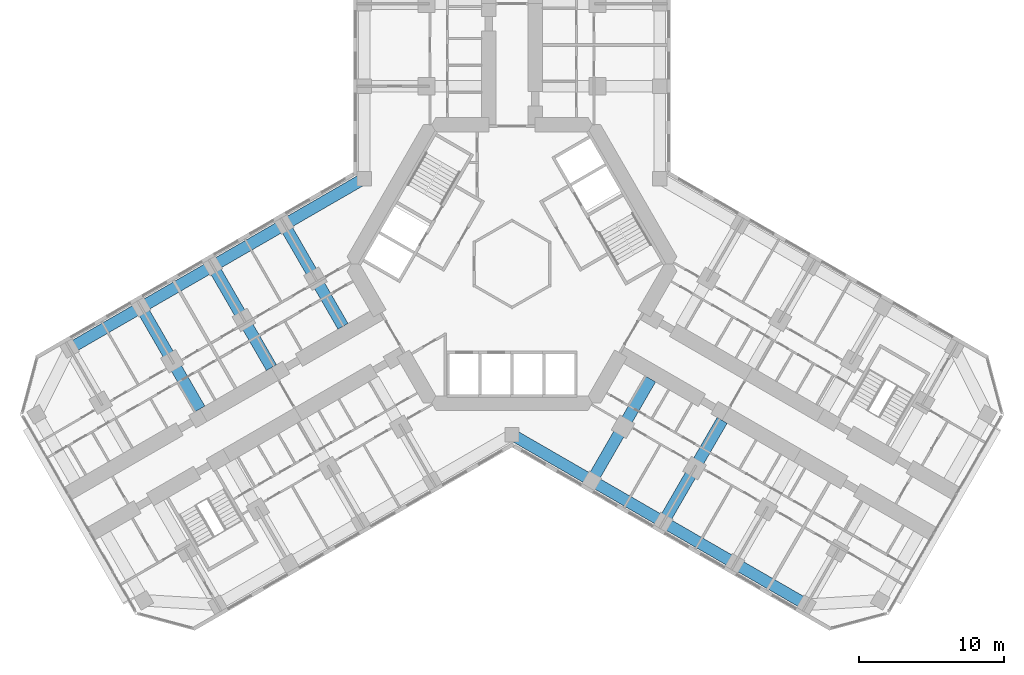
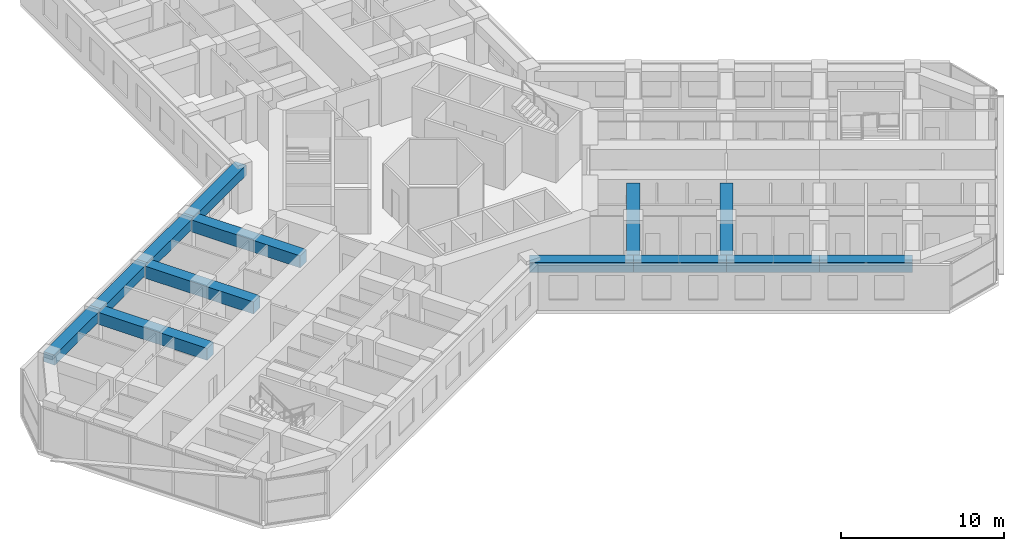
# One storey, part 4 of 21: 13 beams.
"""IFC4 building model written with IfcOpenShell, lengths in metres."""

from ifc_helpers import new_model, si_unit, direction, frame, origin, origin_2d, place, context, subcontext, project, spatial, rectangle, extrude, material, material_profile, profile_set, type_object, element, save


model = new_model("IFC4")

# Units and contexts
model_context = context("Model", 3, precision=1e-05, world=origin(), true_north=direction((0.0, 1.0)))
body_context = subcontext(model_context, "Body", "Model", "MODEL_VIEW")
ifc_project = project(units=[si_unit("LENGTHUNIT", "METRE"), si_unit("AREAUNIT", "SQUARE_METRE"), si_unit("VOLUMEUNIT", "CUBIC_METRE"), si_unit("PLANEANGLEUNIT", "RADIAN"), si_unit("MASSUNIT", "GRAM", prefix="KILO")], contexts=[model_context])

# Site, building, storey
site_placement = place(None, origin())
site = spatial("IfcSite", under=ifc_project, at=site_placement, CompositionType="ELEMENT")
building_placement = place(site_placement, origin())
building = spatial("IfcBuilding", under=site, at=building_placement, Name="Kosmar Iwan School Tower", CompositionType="ELEMENT")
storey_placement = place(building_placement, frame((0.0, 0.0, 61.0)))
storey = spatial("IfcBuildingStorey", under=building, at=storey_placement, Name="L14", CompositionType="ELEMENT", Elevation=61.0)

# Beams
ifc_material_1 = material(Name="Concrete C50/60", Category="concrete")
ifc_material_profile_1 = material_profile(ifc_material_1, rectangle(XDim=0.800048828125, YDim=0.75, at=origin_2d()), Name="RC 800x750")
ifc_profile_set_1 = profile_set([ifc_material_profile_1], Name="Concrete C50/60")
beam_type_1 = type_object("IfcBeamType", Name="RC edge beam 800x750", PredefinedType="BEAM", material=ifc_profile_set_1)
beam_1_placement = place(storey_placement, frame((-10.199951171875, 5.888916015625, 2.97509765625), z_axis=(-0.866030912664, -0.49999045822, 0.0), x_axis=(0.49999045822, -0.866030912664, 0.0)))
element("IfcBeam", 1, at=beam_1_placement, inside=storey, type_object=beam_type_1, Name="Edge beam BR1", PredefinedType="BEAM", context=body_context, shape_type="SweptSolid", body=[
    extrude(rectangle(XDim=0.800048828125, YDim=0.75, at=origin_2d()), origin(), (0.0, 0.0, 1.0), 6.36083984375),
])
beam_2_placement = place(storey_placement, frame((-15.708740234375, 2.70849609375, 2.97509765625), z_axis=(-0.866025820012, -0.499999279071, 0.0), x_axis=(0.499999279071, -0.866025820012, 0.0)))
element("IfcBeam", 2, at=beam_2_placement, inside=storey, type_object=beam_type_1, Name="Edge beam BR2", PredefinedType="BEAM", context=body_context, shape_type="SweptSolid", body=[
    extrude(rectangle(XDim=0.800048828125, YDim=0.75, at=origin_2d()), origin(), (0.0, 0.0, 1.0), 5.7001953125),
])
for number, where, z_axis, x_axis, name in (
    (3, (-20.645263671875, -0.1416015625, 2.97509765625), (-0.866033658841, -0.49998570155, 0.0), (0.49998570155, -0.866033658841, 0.0), "Edge beam BR3"),
    (4, (-25.58154296875, -2.991455078125, 2.97509765625), (-0.866015111908, -0.50001782563, 0.0), (0.50001782563, -0.866015111908, 0.0), "Edge beam BR4"),
):
    element("IfcBeam", number, at=place(storey_placement, frame(where, z_axis=z_axis, x_axis=x_axis)), inside=storey, type_object=beam_type_1, Name=name, PredefinedType="BEAM", context=body_context, shape_type="SweptSolid", body=[
        extrude(rectangle(XDim=0.800048828125, YDim=0.75, at=origin_2d()), origin(), (0.0, 0.0, 1.0), 5.699951171875),
    ])
beam_3_placement = place(storey_placement, frame((0.0, -11.77783203125, 2.97509765625), z_axis=(0.866014293216, -0.500019243575, 0.0), x_axis=(0.500019243575, 0.866014293216, 0.0)))
element("IfcBeam", 5, at=beam_3_placement, inside=storey, type_object=beam_type_1, Name="Edge beam CR1", PredefinedType="BEAM", context=body_context, shape_type="SweptSolid", body=[
    extrude(rectangle(XDim=0.800048828125, YDim=0.75, at=origin_2d()), origin(), (0.0, 0.0, 1.0), 6.361083984375),
])
beam_4_placement = place(storey_placement, frame((5.5087890625, -14.95849609375, 2.97509765625), z_axis=(0.866033658841, -0.49998570155, 0.0), x_axis=(0.49998570155, 0.866033658841, 0.0)))
element("IfcBeam", 6, at=beam_4_placement, inside=storey, type_object=beam_type_1, Name="Edge beam CR2", PredefinedType="BEAM", context=body_context, shape_type="SweptSolid", body=[
    extrude(rectangle(XDim=0.800048828125, YDim=0.75, at=origin_2d()), origin(), (0.0, 0.0, 1.0), 5.699951171875),
])
beam_5_placement = place(storey_placement, frame((10.445068359375, -17.808349609375, 2.97509765625), z_axis=(0.866025820012, -0.499999279071, 0.0), x_axis=(0.499999279071, 0.866025820012, 0.0)))
element("IfcBeam", 7, at=beam_5_placement, inside=storey, type_object=beam_type_1, Name="Edge beam CR3", PredefinedType="BEAM", context=body_context, shape_type="SweptSolid", body=[
    extrude(rectangle(XDim=0.800048828125, YDim=0.75, at=origin_2d()), origin(), (0.0, 0.0, 1.0), 5.7001953125),
])
beam_6_placement = place(storey_placement, frame((15.381591796875, -20.658447265625, 2.97509765625), z_axis=(0.866015111908, -0.50001782563, 0.0), x_axis=(0.50001782563, 0.866015111908, 0.0)))
element("IfcBeam", 8, at=beam_6_placement, inside=storey, type_object=beam_type_1, Name="Edge beam CR4", PredefinedType="BEAM", context=body_context, shape_type="SweptSolid", body=[
    extrude(rectangle(XDim=0.800048828125, YDim=0.75, at=origin_2d()), origin(), (0.0, 0.0, 1.0), 5.699951171875),
])
ifc_material_2 = material(Name="Concrete C50/60", Category="concrete")
ifc_material_profile_2 = material_profile(ifc_material_2, rectangle(XDim=0.800048828125, YDim=0.89990234375, at=origin_2d()), Name="RC 800x900")
ifc_profile_set_2 = profile_set([ifc_material_profile_2], Name="Concrete C50/60")
beam_type_2 = type_object("IfcBeamType", Name="RC transverse beam 800x900", PredefinedType="BEAM", material=ifc_profile_set_2)
beam_7_placement = place(storey_placement, frame((-15.708740234375, 2.70849609375, 2.89990234375), z_axis=(0.499999880539, -0.866025472755, 0.0), x_axis=(0.866025472755, 0.499999880539, 0.0)))
element("IfcBeam", 9, at=beam_7_placement, inside=storey, type_object=beam_type_2, Name="Transverse beam BR1", PredefinedType="BEAM", context=body_context, shape_type="SweptSolid", body=[
    extrude(rectangle(XDim=0.800048828125, YDim=0.89990234375, at=origin_2d()), origin(), (0.0, 0.0, 1.0), 8.10009765625),
])
beam_8_placement = place(storey_placement, frame((-20.645263671875, -0.1416015625, 2.89990234375), z_axis=(0.500012932018, -0.866017937352, 0.0), x_axis=(0.866017937352, 0.500012932018, 0.0)))
element("IfcBeam", 10, at=beam_8_placement, inside=storey, type_object=beam_type_2, Name="Transverse beam BR2", PredefinedType="BEAM", context=body_context, shape_type="SweptSolid", body=[
    extrude(rectangle(XDim=0.800048828125, YDim=0.89990234375, at=origin_2d()), origin(), (0.0, 0.0, 1.0), 8.099853515625),
])
for number, where, z_axis, x_axis, name in (
    (11, (-25.58154296875, -2.991455078125, 2.89990234375), (0.499999880539, -0.866025472755, 0.0), (0.866025472755, 0.499999880539, 0.0), "Transverse beam BR3"),
    (12, (5.5087890625, -14.95849609375, 2.89990234375), (0.499999880539, 0.866025472755, 0.0), (-0.866025472755, 0.499999880539, 0.0), "Transverse beam CR1"),
):
    element("IfcBeam", number, at=place(storey_placement, frame(where, z_axis=z_axis, x_axis=x_axis)), inside=storey, type_object=beam_type_2, Name=name, PredefinedType="BEAM", context=body_context, shape_type="SweptSolid", body=[
        extrude(rectangle(XDim=0.800048828125, YDim=0.89990234375, at=origin_2d()), origin(), (0.0, 0.0, 1.0), 8.10009765625),
    ])
beam_9_placement = place(storey_placement, frame((10.445068359375, -17.808349609375, 2.89990234375), z_axis=(0.500012932018, 0.866017937352, 0.0), x_axis=(-0.866017937352, 0.500012932018, 0.0)))
element("IfcBeam", 13, at=beam_9_placement, inside=storey, type_object=beam_type_2, Name="Transverse beam CR2", PredefinedType="BEAM", context=body_context, shape_type="SweptSolid", body=[
    extrude(rectangle(XDim=0.800048828125, YDim=0.89990234375, at=origin_2d()), origin(), (0.0, 0.0, 1.0), 8.099853515625),
])

save(model, "model.ifc")
